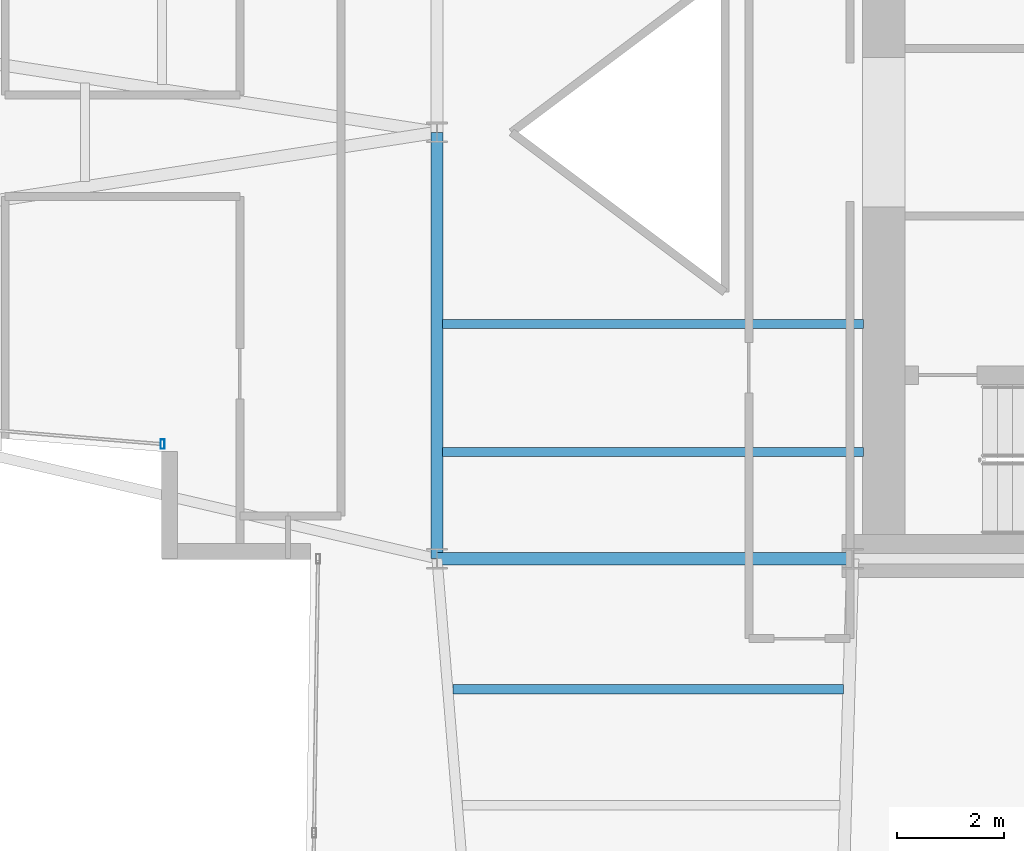
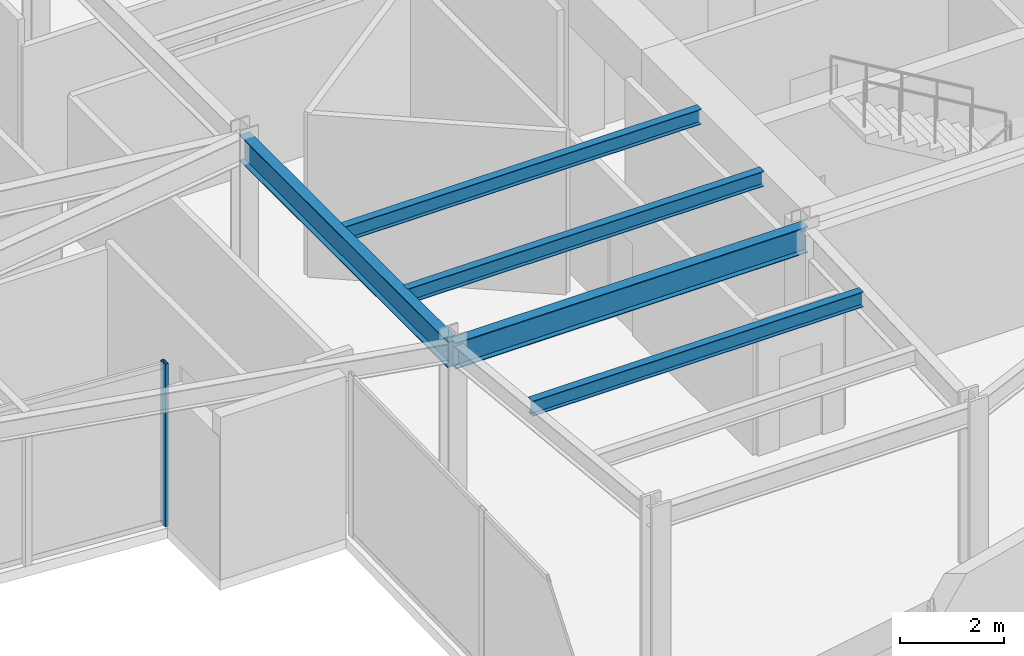
# One storey, part 5 of 25: 5 beams, 1 member, 1 element without a shape of its own.
"""IFC4 building model written with IfcOpenShell, lengths in metres."""

from ifc_helpers import new_model, si_unit, direction, frame, origin, origin_2d, place, context, subcontext, project, spatial, hollow_rectangle, i_section, extrude, material, layer, layer_set, material_profile, profile_set, type_object, element, aggregate, save


model = new_model("IFC4")

# Units and contexts
model_context = context("Model", 3, precision=1e-05, world=origin(), true_north=direction((0.0, 1.0)))
body_context = subcontext(model_context, "Body", "Model", "MODEL_VIEW")
ifc_project = project(units=[si_unit("LENGTHUNIT", "METRE"), si_unit("AREAUNIT", "SQUARE_METRE"), si_unit("VOLUMEUNIT", "CUBIC_METRE"), si_unit("PLANEANGLEUNIT", "RADIAN"), si_unit("MASSUNIT", "GRAM", prefix="KILO")], contexts=[model_context])

# Site, building, storey
site_placement = place(None, origin())
site = spatial("IfcSite", under=ifc_project, at=site_placement, CompositionType="ELEMENT")
building_placement = place(site_placement, origin())
building = spatial("IfcBuilding", under=site, at=building_placement, Name="Veymaron Broadcast Tower", CompositionType="ELEMENT")
storey_placement = place(building_placement, frame((0.0, 0.0, 120.89990234375)))
storey = spatial("IfcBuildingStorey", under=building, at=storey_placement, Name="L27", CompositionType="ELEMENT", Elevation=120.89990234375)

# Beams
ifc_material_1 = material(Name="Structural steel ASTM A992 Gr 50", Category="steel")
ifc_material_profile_1 = material_profile(ifc_material_1, i_section(OverallWidth=0.22802734375, OverallDepth=0.60791015625, WebThickness=0.01123046875, FlangeThickness=0.017333984375, at=origin_2d()), Name="W610X113")
ifc_profile_set_1 = profile_set([ifc_material_profile_1], Name="Structural steel ASTM A992 Gr 50")
beam_type_1 = type_object("IfcBeamType", Name="BM-FG2", PredefinedType="BEAM", material=ifc_profile_set_1)
beam_1_placement = place(storey_placement, frame((31.199951171875, 16.0, 3.506103515625), z_axis=(0.0, 1.0, 0.0), x_axis=(-1.0, 0.0, 0.0)))
element("IfcBeam", 1, at=beam_1_placement, inside=storey, type_object=beam_type_1, Name="L27 primary structural floor girder", PredefinedType="BEAM", context=body_context, shape_type="SweptSolid", body=[
    extrude(i_section(OverallWidth=0.22802734375, OverallDepth=0.60791015625, WebThickness=0.01123046875, FlangeThickness=0.017333984375, at=origin_2d()), origin(), (0.0, 0.0, 1.0), 8.0),
])
beam_2_placement = place(storey_placement, frame((31.199951171875, 16.0, 3.506103515625), z_axis=(1.0, 0.0, 0.0), x_axis=(0.0, 1.0, 0.0)))
element("IfcBeam", 2, at=beam_2_placement, inside=storey, type_object=beam_type_1, Name="L27 primary structural floor girder", PredefinedType="BEAM", context=body_context, shape_type="SweptSolid", body=[
    extrude(i_section(OverallWidth=0.22802734375, OverallDepth=0.60791015625, WebThickness=0.01123046875, FlangeThickness=0.017333984375, at=origin_2d()), origin(), (0.0, 0.0, 1.0), 7.800048828125),
])
ifc_material_profile_2 = material_profile(ifc_material_1, i_section(OverallWidth=0.1708984375, OverallDepth=0.35498046875, WebThickness=0.007080078125, FlangeThickness=0.01171875, at=origin_2d()), Name="W360X51")
ifc_profile_set_2 = profile_set([ifc_material_profile_2], Name="Structural steel ASTM A992 Gr 50")
beam_type_2 = type_object("IfcBeamType", Name="BM-JS2", PredefinedType="JOIST", material=ifc_profile_set_2)
beam_3_placement = place(storey_placement, frame((31.501708984375, 13.552001953125, 3.632568359375), z_axis=(1.0, 0.0, 0.0), x_axis=(0.0, 1.0, 0.0)))
element("IfcBeam", 3, at=beam_3_placement, inside=storey, type_object=beam_type_2, Name="L27 Arm-C secondary joist 1", PredefinedType="JOIST", context=body_context, shape_type="SweptSolid", body=[
    extrude(i_section(OverallWidth=0.1708984375, OverallDepth=0.35498046875, WebThickness=0.007080078125, FlangeThickness=0.01171875, at=origin_2d()), origin(), (0.0, 0.0, 1.0), 7.326171875),
])
for number, where, z_axis, x_axis, name in (
    (4, (31.300048828125, 18.0, 3.632568359375), (1.0, 0.0, 0.0), (0.0, 1.0, 0.0), "L27 Hub secondary joist 1"),
    (5, (31.300048828125, 20.39990234375, 3.632568359375), (1.0, 0.0, 0.0), (0.0, 1.0, 0.0), "L27 Hub secondary joist 2"),
):
    element("IfcBeam", number, at=place(storey_placement, frame(where, z_axis=z_axis, x_axis=x_axis)), inside=storey, type_object=beam_type_2, Name=name, PredefinedType="JOIST", context=body_context, shape_type="SweptSolid", body=[
        extrude(i_section(OverallWidth=0.1708984375, OverallDepth=0.35498046875, WebThickness=0.007080078125, FlangeThickness=0.01171875, at=origin_2d()), origin(), (0.0, 0.0, 1.0), 7.89990234375),
    ])

# Curtain wall, member
ifc_material_2 = material(Name="Anodised aluminium AA 6063-T6 and laminated low-E dark glass", Category="aluminium")
ifc_layer = layer(ifc_material_2, 0.179931640625)
ifc_layer_set = layer_set([ifc_layer], Name="Anodised aluminium AA 6063-T6 and laminated low-E dark glass")
curtain_wall_type = type_object("IfcCurtainWallType", Name="CW-SYS-03", PredefinedType="NOTDEFINED", material=ifc_layer_set)
curtain_wall_placement = place(storey_placement, origin())
curtain_wall = element("IfcCurtainWall", 6, at=curtain_wall_placement, inside=storey, type_object=curtain_wall_type, Name="L27 dark-glass curtain wall CW-L27-E14-1", PredefinedType="NOTDEFINED")
ifc_material_3 = material(Name="Anodised aluminium AA 6063-T6", Category="aluminium")
ifc_material_profile_3 = material_profile(ifc_material_3, hollow_rectangle(XDim=0.074951171875, YDim=0.179931640625, WallThickness=0.0048828125, at=origin_2d()), Name="AL180X75X5")
ifc_profile_set_3 = profile_set([ifc_material_profile_3], Name="Anodised aluminium AA 6063-T6")
member_type = type_object("IfcMemberType", Name="CW-MUL-02", PredefinedType="MULLION", material=ifc_profile_set_3)
member_placement = place(storey_placement, frame((26.051513671875, 18.149169921875, 0.0), z_axis=(0.0, 0.0, 1.0), x_axis=(1.0, 0.0, 0.0)))
member = element("IfcMember", 7, at=member_placement, type_object=member_type, Name="CW-L27-E14-1 mullion 2", PredefinedType="MULLION", context=body_context, shape_type="SweptSolid", body=[
    extrude(hollow_rectangle(XDim=0.074951171875, YDim=0.179931640625, WallThickness=0.0048828125, at=origin_2d()), origin(), (0.0, 0.0, 1.0), 3.81005859375),
])
aggregate(curtain_wall, [member])

save(model, "model.ifc")
